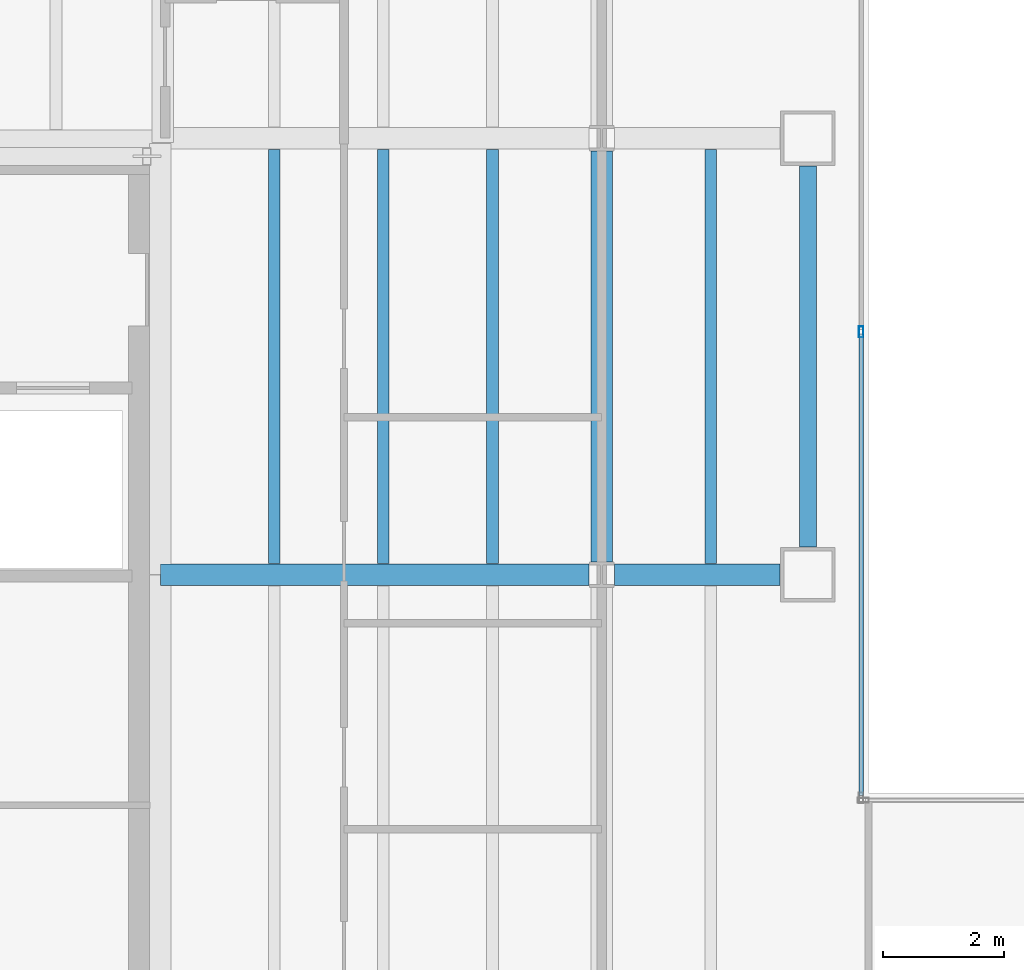
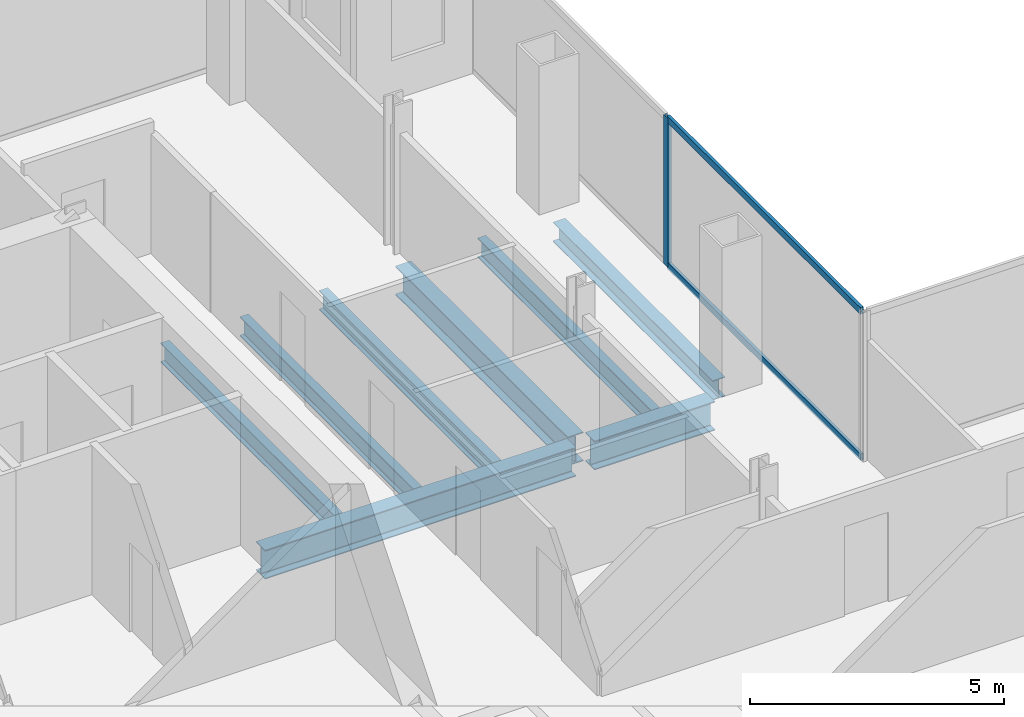
# One storey, part 8 of 23: 8 beams, 3 members, 1 element without a shape of its own.
"""IFC4 building model written with IfcOpenShell, lengths in metres."""

from ifc_helpers import new_model, si_unit, direction, frame, origin, origin_2d, place, context, subcontext, project, spatial, hollow_rectangle, i_section, extrude, material, material_profile, profile_set, type_object, element, aggregate, save


model = new_model("IFC4")

# Units and contexts
model_context = context("Model", 3, precision=1e-05, world=origin(), true_north=direction((0.0, 1.0)))
body_context = subcontext(model_context, "Body", "Model", "MODEL_VIEW")
ifc_project = project(units=[si_unit("LENGTHUNIT", "METRE"), si_unit("AREAUNIT", "SQUARE_METRE"), si_unit("VOLUMEUNIT", "CUBIC_METRE"), si_unit("PLANEANGLEUNIT", "RADIAN"), si_unit("MASSUNIT", "GRAM", prefix="KILO")], contexts=[model_context])

# Site, building, storey
site_placement = place(None, origin())
site = spatial("IfcSite", under=ifc_project, at=site_placement, CompositionType="ELEMENT")
building_placement = place(site_placement, origin())
building = spatial("IfcBuilding", under=site, at=building_placement, Name="Cobrela Telecom Tower", CompositionType="ELEMENT")
storey_placement = place(building_placement, frame((0.0, 0.0, 129.14990234375)))
storey = spatial("IfcBuildingStorey", under=building, at=storey_placement, Name="L32", CompositionType="ELEMENT", Elevation=129.14990234375)

# Beams
ifc_material_1 = material(Name="Steel ASTM A992 Grade 50", Category="steel")
ifc_material_profile_1 = material_profile(ifc_material_1, i_section(OverallWidth=0.35595703125, OverallDepth=0.696044921875, WebThickness=0.015380859375, FlangeThickness=0.024658203125, FilletRadius=0.01806640625, at=origin_2d()), Name="W27X146")
ifc_profile_set_1 = profile_set([ifc_material_profile_1], Name="Steel ASTM A992 Grade 50")
beam_type_1 = type_object("IfcBeamType", Name="BM-GIRD-05", PredefinedType="USERDEFINED", material=ifc_profile_set_1)
beam_1_placement = place(storey_placement, frame((14.324951171875, 28.800048828125, -0.617919921875), z_axis=(1.0, 0.0, 0.0), x_axis=(0.0, 1.0, 0.0)))
element("IfcBeam", 1, at=beam_1_placement, inside=storey, type_object=beam_type_1, Name="L32 Primary Girder X23", ObjectType="GIRDER", PredefinedType="USERDEFINED", context=body_context, shape_type="SweptSolid", body=[
    extrude(i_section(OverallWidth=0.35595703125, OverallDepth=0.696044921875, WebThickness=0.015380859375, FlangeThickness=0.024658203125, FilletRadius=0.01806640625, at=origin_2d()), origin(), (0.0, 0.0, 1.0), 7.0654296875),
])
beam_2_placement = place(storey_placement, frame((21.8095703125, 28.800048828125, -0.617919921875), z_axis=(1.0, 0.0, 0.0), x_axis=(0.0, 1.0, 0.0)))
element("IfcBeam", 2, at=beam_2_placement, inside=storey, type_object=beam_type_1, Name="L32 Primary Girder X24", ObjectType="GIRDER", PredefinedType="USERDEFINED", context=body_context, shape_type="SweptSolid", body=[
    extrude(i_section(OverallWidth=0.35595703125, OverallDepth=0.696044921875, WebThickness=0.015380859375, FlangeThickness=0.024658203125, FilletRadius=0.01806640625, at=origin_2d()), origin(), (0.0, 0.0, 1.0), 2.7353515625),
])
beam_3_placement = place(storey_placement, frame((21.60009765625, 29.009521484375, -0.617919921875), z_axis=(0.0, 1.0, 0.0), x_axis=(-1.0, 0.0, 0.0)))
element("IfcBeam", 3, at=beam_3_placement, inside=storey, type_object=beam_type_1, Name="L32 Primary Girder Y43", ObjectType="GIRDER", PredefinedType="USERDEFINED", context=body_context, shape_type="SweptSolid", body=[
    extrude(i_section(OverallWidth=0.35595703125, OverallDepth=0.696044921875, WebThickness=0.015380859375, FlangeThickness=0.024658203125, FilletRadius=0.01806640625, at=origin_2d()), origin(), (0.0, 0.0, 1.0), 6.781005859375),
])
ifc_material_profile_2 = material_profile(ifc_material_1, i_section(OverallWidth=0.193115234375, OverallDepth=0.467041015625, WebThickness=0.011474609375, FlangeThickness=0.01904296875, FilletRadius=0.012939453125, at=origin_2d()), Name="W18X65")
ifc_profile_set_2 = profile_set([ifc_material_profile_2], Name="Steel ASTM A992 Grade 50")
beam_type_2 = type_object("IfcBeamType", Name="BM-JOIST-03", PredefinedType="JOIST", material=ifc_profile_set_2)
for number, where, z_axis, x_axis, name in (
    (4, (16.199951171875, 28.98291015625, -0.50341796875), (0.0, 1.0, 0.0), (-1.0, 0.0, 0.0), "L32 Secondary Composite Floor Beam J07"),
    (5, (18.0, 28.98291015625, -0.50341796875), (0.0, 1.0, 0.0), (-1.0, 0.0, 0.0), "L32 Secondary Composite Floor Beam J12"),
    (6, (19.800048828125, 28.98291015625, -0.50341796875), (0.0, 1.0, 0.0), (-1.0, 0.0, 0.0), "L32 Secondary Composite Floor Beam J17"),
    (7, (23.39990234375, 28.98291015625, -0.50341796875), (0.0, 1.0, 0.0), (-1.0, 0.0, 0.0), "L32 Secondary Composite Floor Beam J22"),
):
    element("IfcBeam", number, at=place(storey_placement, frame(where, z_axis=z_axis, x_axis=x_axis)), inside=storey, type_object=beam_type_2, Name=name, PredefinedType="JOIST", context=body_context, shape_type="SweptSolid", body=[
        extrude(i_section(OverallWidth=0.193115234375, OverallDepth=0.467041015625, WebThickness=0.011474609375, FlangeThickness=0.01904296875, FilletRadius=0.012939453125, at=origin_2d()), origin(), (0.0, 0.0, 1.0), 6.833984375),
    ])
ifc_material_profile_3 = material_profile(ifc_material_1, i_section(OverallWidth=0.281982421875, OverallDepth=0.467041015625, WebThickness=0.01220703125, FlangeThickness=0.01953125, FilletRadius=0.012939453125, at=origin_2d()), Name="W18X86")
ifc_profile_set_3 = profile_set([ifc_material_profile_3], Name="Steel ASTM A992 Grade 50")
beam_type_3 = type_object("IfcBeamType", Name="BM-SPAND-04", PredefinedType="SPANDREL", material=ifc_profile_set_3)
beam_4_placement = place(storey_placement, frame((25.0, 29.2548828125, -0.50341796875), z_axis=(0.0, 1.0, 0.0), x_axis=(-1.0, 0.0, 0.0)))
element("IfcBeam", 8, at=beam_4_placement, inside=storey, type_object=beam_type_3, Name="L32 Perimeter Spandrel Y45", PredefinedType="SPANDREL", context=body_context, shape_type="SweptSolid", body=[
    extrude(i_section(OverallWidth=0.281982421875, OverallDepth=0.467041015625, WebThickness=0.01220703125, FlangeThickness=0.01953125, FilletRadius=0.012939453125, at=origin_2d()), origin(), (0.0, 0.0, 1.0), 6.2900390625),
])

# Curtain wall, members
ifc_material_2 = material(Name="Anodized Bronze Aluminium 6063-T6", Category="aluminium")
curtain_wall_type = type_object("IfcCurtainWallType", Name="CW-SYS-TEL", PredefinedType="USERDEFINED", material=ifc_material_2)
curtain_wall_placement = place(storey_placement, origin())
curtain_wall = element("IfcCurtainWall", 9, at=curtain_wall_placement, inside=storey, type_object=curtain_wall_type, Name="L32 Unitised Bronze Curtain Wall 10", ObjectType="UNITISED CURTAIN WALL", PredefinedType="USERDEFINED")
ifc_material_profile_4 = material_profile(ifc_material_2, hollow_rectangle(XDim=0.074951171875, YDim=0.179931640625, WallThickness=0.00390625, at=origin_2d()), Name="ALU 75x180x4")
ifc_profile_set_4 = profile_set([ifc_material_profile_4], Name="Anodized Bronze Aluminium 6063-T6")
member_type_1 = type_object("IfcMemberType", Name="CW-SYS-TEL-MUL", PredefinedType="MULLION", material=ifc_profile_set_4)
member_1_placement = place(storey_placement, frame((25.8798828125, 32.804931640625, 0.0), z_axis=(0.0, 0.0, 1.0), x_axis=(1.0, 0.0, 0.0)))
member_1 = element("IfcMember", 10, at=member_1_placement, type_object=member_type_1, Name="CW-TEL mullion 2", PredefinedType="MULLION", context=body_context, shape_type="SweptSolid", body=[
    extrude(hollow_rectangle(XDim=0.074951171875, YDim=0.179931640625, WallThickness=0.00390625, at=origin_2d()), origin(), (0.0, 0.0, 1.0), 3.580078125),
])
ifc_material_profile_5 = material_profile(ifc_material_2, hollow_rectangle(XDim=0.070068359375, YDim=0.159912109375, WallThickness=0.00390625, at=origin_2d()), Name="ALU 70x160x4")
ifc_profile_set_5 = profile_set([ifc_material_profile_5], Name="Anodized Bronze Aluminium 6063-T6")
member_type_2 = type_object("IfcMemberType", Name="CW-SYS-TEL-TRN", PredefinedType="USERDEFINED", material=ifc_profile_set_5)
member_2_placement = place(storey_placement, frame((25.8798828125, 32.767578125, 0.03515625), z_axis=(0.0, -1.0, 0.0), x_axis=(1.0, 0.0, 0.0)))
member_2 = element("IfcMember", 11, at=member_2_placement, type_object=member_type_2, Name="CW-TEL transom 2.1", ObjectType="TRANSOM", PredefinedType="USERDEFINED", context=body_context, shape_type="SweptSolid", body=[
    extrude(hollow_rectangle(XDim=0.070068359375, YDim=0.159912109375, WallThickness=0.00390625, at=origin_2d()), origin(), (0.0, 0.0, 1.0), 7.612548828125),
])
member_3_placement = place(storey_placement, frame((25.8798828125, 32.767578125, 3.545166015625), z_axis=(0.0, -1.0, 0.0), x_axis=(1.0, 0.0, 0.0)))
member_3 = element("IfcMember", 12, at=member_3_placement, type_object=member_type_2, Name="CW-TEL transom 2.2", ObjectType="TRANSOM", PredefinedType="USERDEFINED", context=body_context, shape_type="SweptSolid", body=[
    extrude(hollow_rectangle(XDim=0.070068359375, YDim=0.159912109375, WallThickness=0.00390625, at=origin_2d()), origin(), (0.0, 0.0, 1.0), 7.612548828125),
])
aggregate(curtain_wall, [member_1, member_2, member_3])

save(model, "model.ifc")
